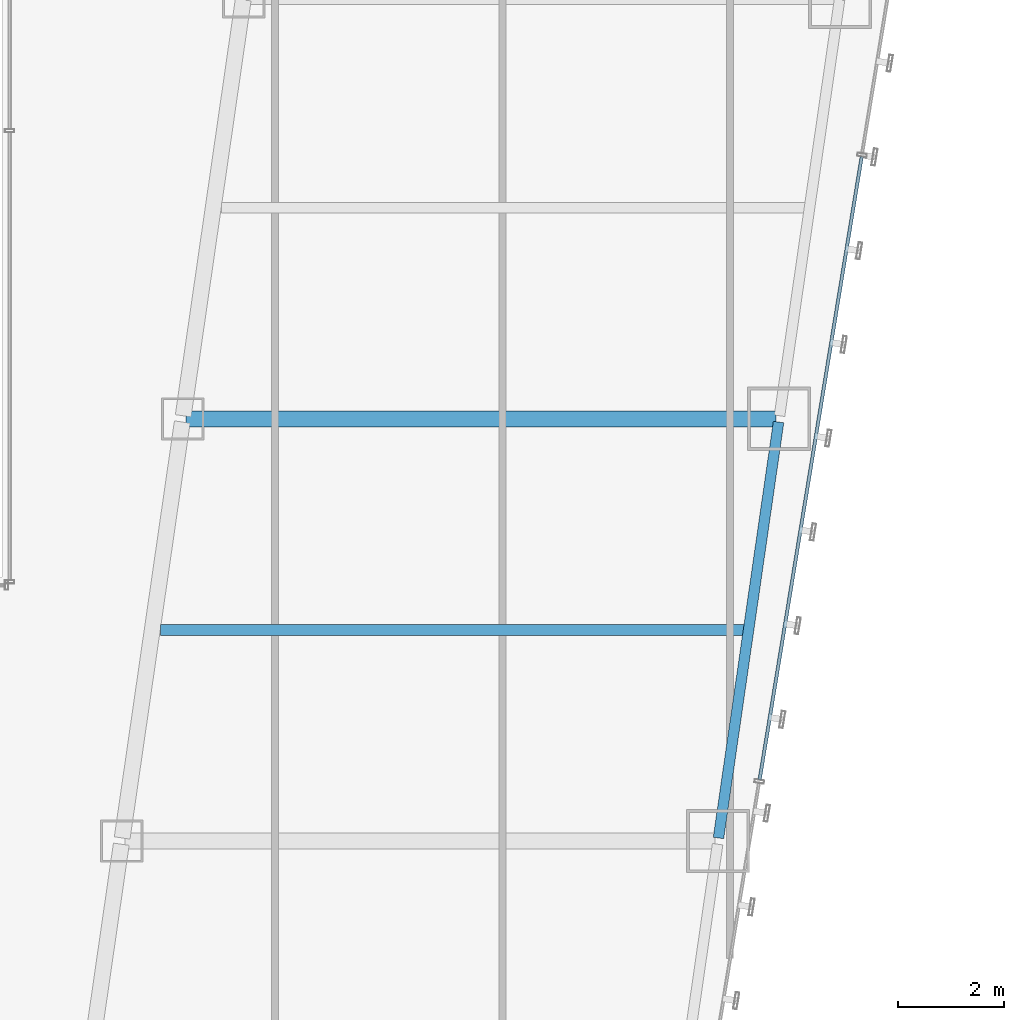
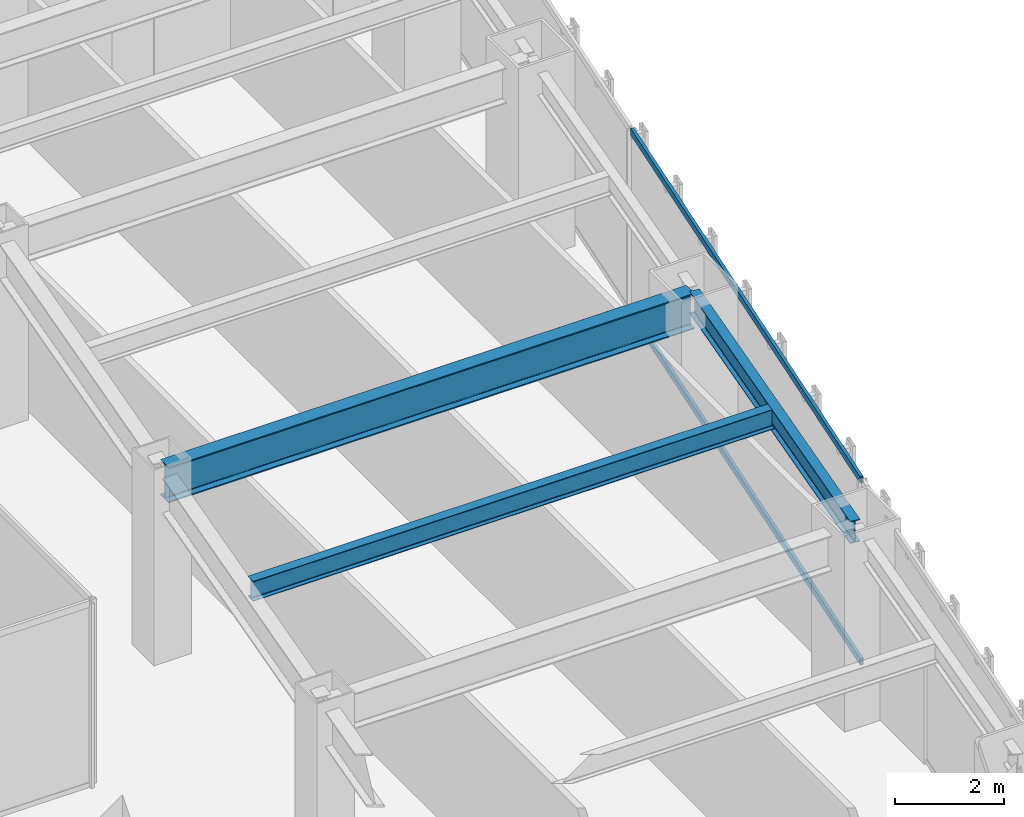
# One storey, part 19 of 47: 3 beams, 2 members, 1 element without a shape of its own.
"""IFC4 building model written with IfcOpenShell, lengths in metres."""

from ifc_helpers import new_model, si_unit, direction, frame, origin, origin_2d, place, context, subcontext, project, spatial, hollow_rectangle, i_section, extrude, material, material_profile, profile_set, type_object, element, aggregate, save


model = new_model("IFC4")

# Units and contexts
model_context = context("Model", 3, precision=1e-05, world=origin(), true_north=direction((0.0, 1.0)))
body_context = subcontext(model_context, "Body", "Model", "MODEL_VIEW")
ifc_project = project(units=[si_unit("LENGTHUNIT", "METRE"), si_unit("AREAUNIT", "SQUARE_METRE"), si_unit("VOLUMEUNIT", "CUBIC_METRE"), si_unit("PLANEANGLEUNIT", "RADIAN"), si_unit("MASSUNIT", "GRAM", prefix="KILO")], contexts=[model_context])

# Site, building, storey
site_placement = place(None, origin())
site = spatial("IfcSite", under=ifc_project, at=site_placement, CompositionType="ELEMENT")
building_placement = place(site_placement, origin())
building = spatial("IfcBuilding", under=site, at=building_placement, Name="Saevonmaru Cultural Tower", CompositionType="ELEMENT")
storey_placement = place(building_placement, frame((0.0, 0.0, 60.39990234375)))
storey = spatial("IfcBuildingStorey", under=building, at=storey_placement, Name="L12", CompositionType="ELEMENT", Elevation=60.39990234375)

# Beams
ifc_material_1 = material(Name="Steel SM420", Category="steel")
ifc_material_profile_1 = material_profile(ifc_material_1, i_section(OverallWidth=0.300048828125, OverallDepth=0.800048828125, WebThickness=0.013916015625, FlangeThickness=0.02587890625, FilletRadius=0.028076171875, at=origin_2d()), Name="H-800x300x14x26")
ifc_profile_set_1 = profile_set([ifc_material_profile_1], Name="Steel SM420")
beam_type_1 = type_object("IfcBeamType", Name="BM-G-H800", PredefinedType="BEAM", material=ifc_profile_set_1)
beam_1_placement = place(storey_placement, frame((39.2880859375, 24.0, 3.75), z_axis=(1.0, 0.0, 0.0), x_axis=(0.0, 1.0, 0.0)))
element("IfcBeam", 1, at=beam_1_placement, inside=storey, type_object=beam_type_1, Name="L12 East Wing Transverse Girder 4", PredefinedType="BEAM", context=body_context, shape_type="SweptSolid", body=[
    extrude(i_section(OverallWidth=0.300048828125, OverallDepth=0.800048828125, WebThickness=0.013916015625, FlangeThickness=0.02587890625, FilletRadius=0.028076171875, at=origin_2d()), origin(), (0.0, 0.0, 1.0), 11.179931640625),
])
ifc_material_2 = material(Name="Steel SM355", Category="steel")
ifc_material_profile_2 = material_profile(ifc_material_2, i_section(OverallWidth=0.199951171875, OverallDepth=0.449951171875, WebThickness=0.009033203125, FlangeThickness=0.013916015625, FilletRadius=0.01806640625, at=origin_2d()), Name="H-450x200x9x14")
ifc_profile_set_2 = profile_set([ifc_material_profile_2], Name="Steel SM355")
beam_type_2 = type_object("IfcBeamType", Name="BM-J-H450", PredefinedType="JOIST", material=ifc_profile_set_2)
beam_2_placement = place(storey_placement, frame((38.80810546875, 20.0, 3.925048828125), z_axis=(1.0, 0.0, 0.0), x_axis=(0.0, 1.0, 0.0)))
element("IfcBeam", 2, at=beam_2_placement, inside=storey, type_object=beam_type_2, Name="L12 East Wing Floor Joist 3", PredefinedType="JOIST", context=body_context, shape_type="SweptSolid", body=[
    extrude(i_section(OverallWidth=0.199951171875, OverallDepth=0.449951171875, WebThickness=0.009033203125, FlangeThickness=0.013916015625, FilletRadius=0.01806640625, at=origin_2d()), origin(), (0.0, 0.0, 1.0), 11.081787109375),
])
ifc_material_profile_3 = material_profile(ifc_material_2, i_section(OverallWidth=0.199951171875, OverallDepth=0.5, WebThickness=0.010009765625, FlangeThickness=0.01611328125, FilletRadius=0.02001953125, at=origin_2d()), Name="H-500x200x10x16")
ifc_profile_set_3 = profile_set([ifc_material_profile_3], Name="Steel SM355")
beam_type_3 = type_object("IfcBeamType", Name="BM-SP-H500", PredefinedType="SPANDREL", material=ifc_profile_set_3)
beam_3_placement = place(storey_placement, frame((49.380615234375, 16.059326171875, 3.900146484375), z_axis=(0.142992129437, 0.989723825579, 0.0), x_axis=(-0.989723825579, 0.142992129437, 0.0)))
element("IfcBeam", 3, at=beam_3_placement, inside=storey, type_object=beam_type_3, Name="L12 East Splayed Spandrel 3", PredefinedType="SPANDREL", context=body_context, shape_type="SweptSolid", body=[
    extrude(i_section(OverallWidth=0.199951171875, OverallDepth=0.5, WebThickness=0.010009765625, FlangeThickness=0.01611328125, FilletRadius=0.02001953125, at=origin_2d()), origin(), (0.0, 0.0, 1.0), 7.963134765625),
])

# Curtain wall, members
ifc_material_3 = material(Name="Satin Bronze Anodised Aluminium", Category="aluminium")
curtain_wall_type = type_object("IfcCurtainWallType", Name="CW-TYP-A", PredefinedType="NOTDEFINED", material=ifc_material_3)
curtain_wall_placement = place(storey_placement, origin())
curtain_wall = element("IfcCurtainWall", 4, at=curtain_wall_placement, inside=storey, type_object=curtain_wall_type, Name="L12 Unitised Curtain Wall E8", PredefinedType="NOTDEFINED")
ifc_material_profile_4 = material_profile(ifc_material_3, hollow_rectangle(XDim=0.06494140625, YDim=0.14990234375, WallThickness=0.00390625, at=origin_2d()), Name="ALU-TRAN-150x65x4")
ifc_profile_set_4 = profile_set([ifc_material_profile_4], Name="Satin Bronze Anodised Aluminium")
member_type = type_object("IfcMemberType", Name="TR-CW-150x65", PredefinedType="USERDEFINED", material=ifc_profile_set_4)
member_1_placement = place(storey_placement, frame((50.16015625, 17.16162109375, 0.03271484375), z_axis=(0.161701400727, 0.986839732177, 0.0), x_axis=(-0.986839732177, 0.161701400727, 0.0)))
member_1 = element("IfcMember", 5, at=member_1_placement, type_object=member_type, Name="CW-TW-L12-E8 transom 2.1", ObjectType="TRANSOM", PredefinedType="USERDEFINED", context=body_context, shape_type="SweptSolid", body=[
    extrude(hollow_rectangle(XDim=0.06494140625, YDim=0.14990234375, WallThickness=0.00390625, at=origin_2d()), origin(), (0.0, 0.0, 1.0), 11.9638671875),
])
member_2_placement = place(storey_placement, frame((50.16015625, 17.16162109375, 4.11767578125), z_axis=(0.161701400727, 0.986839732177, 0.0), x_axis=(-0.986839732177, 0.161701400727, 0.0)))
member_2 = element("IfcMember", 6, at=member_2_placement, type_object=member_type, Name="CW-TW-L12-E8 transom 2.2", ObjectType="TRANSOM", PredefinedType="USERDEFINED", context=body_context, shape_type="SweptSolid", body=[
    extrude(hollow_rectangle(XDim=0.06494140625, YDim=0.14990234375, WallThickness=0.00390625, at=origin_2d()), origin(), (0.0, 0.0, 1.0), 11.9638671875),
])
aggregate(curtain_wall, [member_1, member_2])

save(model, "model.ifc")
